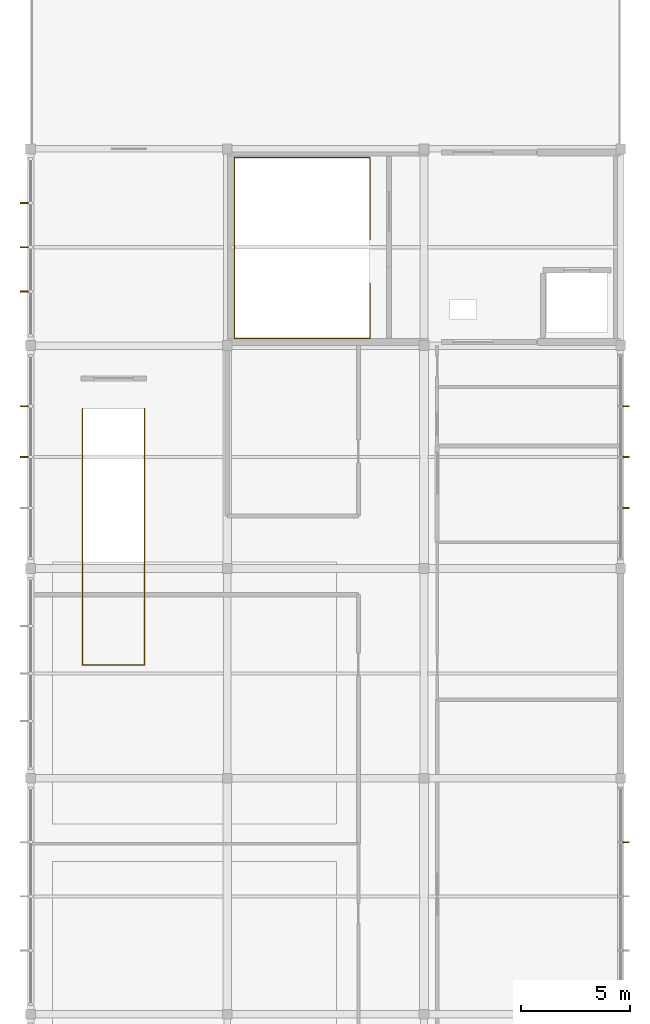
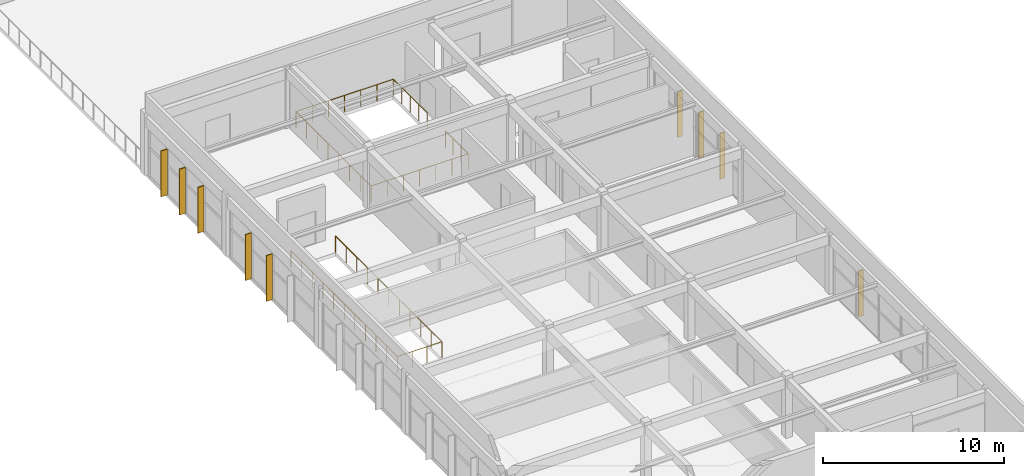
# One storey, part 10 of 10: 9 shading devices, 2 railings.
"""IFC4 building model written with IfcOpenShell, lengths in metres."""

from ifc_helpers import new_model, si_unit, direction, frame, origin, origin_2d, place, context, subcontext, project, spatial, rectangle, circle, extrude, material, type_object, element, save


model = new_model("IFC4")

# Units and contexts
model_context = context("Model", 3, precision=1e-05, world=origin(), true_north=direction((0.0, 1.0)))
body_context = subcontext(model_context, "Body", "Model", "MODEL_VIEW")
ifc_project = project(units=[si_unit("LENGTHUNIT", "METRE"), si_unit("AREAUNIT", "SQUARE_METRE"), si_unit("VOLUMEUNIT", "CUBIC_METRE"), si_unit("PLANEANGLEUNIT", "RADIAN"), si_unit("MASSUNIT", "GRAM", prefix="KILO")], contexts=[model_context])

# Site, building, storey
site_placement = place(None, origin())
site = spatial("IfcSite", under=ifc_project, at=site_placement, CompositionType="ELEMENT")
building_placement = place(site_placement, origin())
building = spatial("IfcBuilding", under=site, at=building_placement, Name="Suirenkawa Promenade Aquatics Centre", CompositionType="ELEMENT")
storey_placement = place(building_placement, frame((0.0, 0.0, 18.60009765625)))
storey = spatial("IfcBuildingStorey", under=building, at=storey_placement, Name="L04", CompositionType="ELEMENT", Elevation=18.60009765625)

# Railings
ifc_material_1 = material(Name="Marine-grade stainless steel Grade 316L", Category="steel")
railing_type = type_object("IfcRailingType", Name="RLT-GUARD-1120", PredefinedType="GUARDRAIL", material=ifc_material_1)
railing_1_placement = place(storey_placement, frame((15.530029296875, 64.260009765625, 0.0)))
element("IfcRailing", 1, at=railing_1_placement, inside=storey, type_object=railing_type, Name="Guardrail GRD-01 RL-0411", PredefinedType="GUARDRAIL", context=body_context, shape_type="SweptSolid", body=[
    extrude(circle(Radius=0.02392578125, at=origin_2d()), frame((0.0, 0.0, 1.09619140625), z_axis=(0.0, 1.0, 0.0), x_axis=(-1.0, 0.0, 0.0)), (0.0, 0.0, 1.0), 3.739990234375),
    extrude(circle(Radius=0.02392578125, at=origin_2d()), frame((0.0, 3.739990234375, 1.09619140625), z_axis=(-1.0, 0.0, 0.0), x_axis=(0.0, -1.0, 0.0)), (0.0, 0.0, 1.0), 6.2099609375),
    extrude(circle(Radius=0.02392578125, at=origin_2d()), frame((-6.2099609375, 3.739990234375, 1.09619140625), z_axis=(0.0, -1.0, 0.0), x_axis=(1.0, 0.0, 0.0)), (0.0, 0.0, 1.0), 8.280029296875),
    extrude(circle(Radius=0.02392578125, at=origin_2d()), frame((-6.2099609375, -4.5400390625, 1.09619140625), z_axis=(1.0, 0.0, 0.0), x_axis=(0.0, 1.0, 0.0)), (0.0, 0.0, 1.0), 6.2099609375),
    extrude(circle(Radius=0.02392578125, at=origin_2d()), frame((0.0, -4.5400390625, 1.09619140625), z_axis=(0.0, 1.0, 0.0), x_axis=(-1.0, 0.0, 0.0)), (0.0, 0.0, 1.0), 2.52001953125),
    extrude(circle(Radius=0.02099609375, at=origin_2d()), origin(), (0.0, 0.0, 1.0), 1.072021484375),
    extrude(circle(Radius=0.02099609375, at=origin_2d()), frame((0.0, 0.93505859375, 0.0)), (0.0, 0.0, 1.0), 1.072021484375),
    extrude(circle(Radius=0.02099609375, at=origin_2d()), frame((0.0, 1.8701171875, 0.0)), (0.0, 0.0, 1.0), 1.072021484375),
    extrude(circle(Radius=0.02099609375, at=origin_2d()), frame((0.0, 2.804931640625, 0.0)), (0.0, 0.0, 1.0), 1.072021484375),
    extrude(circle(Radius=0.02099609375, at=origin_2d()), frame((0.0, 3.739990234375, 0.0)), (0.0, 0.0, 1.0), 1.072021484375),
    extrude(circle(Radius=0.02099609375, at=origin_2d()), frame((-1.034912109375, 3.739990234375, 0.0)), (0.0, 0.0, 1.0), 1.072021484375),
    extrude(circle(Radius=0.02099609375, at=origin_2d()), frame((-2.070068359375, 3.739990234375, 0.0)), (0.0, 0.0, 1.0), 1.072021484375),
    extrude(circle(Radius=0.02099609375, at=origin_2d()), frame((-3.10498046875, 3.739990234375, 0.0)), (0.0, 0.0, 1.0), 1.072021484375),
    extrude(circle(Radius=0.02099609375, at=origin_2d()), frame((-4.139892578125, 3.739990234375, 0.0)), (0.0, 0.0, 1.0), 1.072021484375),
    extrude(circle(Radius=0.02099609375, at=origin_2d()), frame((-5.175048828125, 3.739990234375, 0.0)), (0.0, 0.0, 1.0), 1.072021484375),
    extrude(circle(Radius=0.02099609375, at=origin_2d()), frame((-6.2099609375, 3.739990234375, 0.0)), (0.0, 0.0, 1.0), 1.072021484375),
    extrude(circle(Radius=0.02099609375, at=origin_2d()), frame((-6.2099609375, 2.55712890625, 0.0)), (0.0, 0.0, 1.0), 1.072021484375),
    extrude(circle(Radius=0.02099609375, at=origin_2d()), frame((-6.2099609375, 1.374267578125, 0.0)), (0.0, 0.0, 1.0), 1.072021484375),
    extrude(circle(Radius=0.02099609375, at=origin_2d()), frame((-6.2099609375, 0.19140625, 0.0)), (0.0, 0.0, 1.0), 1.072021484375),
    extrude(circle(Radius=0.02099609375, at=origin_2d()), frame((-6.2099609375, -0.991455078125, 0.0)), (0.0, 0.0, 1.0), 1.072021484375),
    extrude(circle(Radius=0.02099609375, at=origin_2d()), frame((-6.2099609375, -2.17431640625, 0.0)), (0.0, 0.0, 1.0), 1.072021484375),
    extrude(circle(Radius=0.02099609375, at=origin_2d()), frame((-6.2099609375, -3.357177734375, 0.0)), (0.0, 0.0, 1.0), 1.072021484375),
    extrude(circle(Radius=0.02099609375, at=origin_2d()), frame((-6.2099609375, -4.5400390625, 0.0)), (0.0, 0.0, 1.0), 1.072021484375),
    extrude(circle(Radius=0.02099609375, at=origin_2d()), frame((-5.175048828125, -4.5400390625, 0.0)), (0.0, 0.0, 1.0), 1.072021484375),
    extrude(circle(Radius=0.02099609375, at=origin_2d()), frame((-4.139892578125, -4.5400390625, 0.0)), (0.0, 0.0, 1.0), 1.072021484375),
    extrude(circle(Radius=0.02099609375, at=origin_2d()), frame((-3.10498046875, -4.5400390625, 0.0)), (0.0, 0.0, 1.0), 1.072021484375),
    extrude(circle(Radius=0.02099609375, at=origin_2d()), frame((-2.070068359375, -4.5400390625, 0.0)), (0.0, 0.0, 1.0), 1.072021484375),
    extrude(circle(Radius=0.02099609375, at=origin_2d()), frame((-1.034912109375, -4.5400390625, 0.0)), (0.0, 0.0, 1.0), 1.072021484375),
    extrude(circle(Radius=0.02099609375, at=origin_2d()), frame((0.0, -4.5400390625, 0.0)), (0.0, 0.0, 1.0), 1.072021484375),
    extrude(circle(Radius=0.02099609375, at=origin_2d()), frame((0.0, -3.699951171875, 0.0)), (0.0, 0.0, 1.0), 1.072021484375),
    extrude(circle(Radius=0.02099609375, at=origin_2d()), frame((0.0, -2.860107421875, 0.0)), (0.0, 0.0, 1.0), 1.072021484375),
    extrude(circle(Radius=0.02099609375, at=origin_2d()), frame((0.0, -2.02001953125, 0.0)), (0.0, 0.0, 1.0), 1.072021484375),
])
railing_2_placement = place(storey_placement, frame((2.3798828125, 56.52001953125, 0.0)))
element("IfcRailing", 2, at=railing_2_placement, inside=storey, type_object=railing_type, Name="Guardrail GRD-01 RL-0423", PredefinedType="GUARDRAIL", context=body_context, shape_type="SweptSolid", body=[
    extrude(circle(Radius=0.02392578125, at=origin_2d()), frame((0.0, 0.0, 1.09619140625), z_axis=(0.0, -1.0, 0.0), x_axis=(1.0, 0.0, 0.0)), (0.0, 0.0, 1.0), 11.739990234375),
    extrude(circle(Radius=0.02392578125, at=origin_2d()), frame((0.0, -11.739990234375, 1.09619140625), z_axis=(1.0, 0.0, 0.0), x_axis=(0.0, 1.0, 0.0)), (0.0, 0.0, 1.0), 2.840087890625),
    extrude(circle(Radius=0.02392578125, at=origin_2d()), frame((2.840087890625, -11.739990234375, 1.09619140625), z_axis=(0.0, 1.0, 0.0), x_axis=(-1.0, 0.0, 0.0)), (0.0, 0.0, 1.0), 11.739990234375),
    extrude(circle(Radius=0.02099609375, at=origin_2d()), origin(), (0.0, 0.0, 1.0), 1.072021484375),
    extrude(circle(Radius=0.02099609375, at=origin_2d()), frame((0.0, -1.174072265625, 0.0)), (0.0, 0.0, 1.0), 1.072021484375),
    extrude(circle(Radius=0.02099609375, at=origin_2d()), frame((0.0, -2.347900390625, 0.0)), (0.0, 0.0, 1.0), 1.072021484375),
    extrude(circle(Radius=0.02099609375, at=origin_2d()), frame((0.0, -3.52197265625, 0.0)), (0.0, 0.0, 1.0), 1.072021484375),
    extrude(circle(Radius=0.02099609375, at=origin_2d()), frame((0.0, -4.696044921875, 0.0)), (0.0, 0.0, 1.0), 1.072021484375),
    extrude(circle(Radius=0.02099609375, at=origin_2d()), frame((0.0, -5.8701171875, 0.0)), (0.0, 0.0, 1.0), 1.072021484375),
    extrude(circle(Radius=0.02099609375, at=origin_2d()), frame((0.0, -7.0439453125, 0.0)), (0.0, 0.0, 1.0), 1.072021484375),
    extrude(circle(Radius=0.02099609375, at=origin_2d()), frame((0.0, -8.218017578125, 0.0)), (0.0, 0.0, 1.0), 1.072021484375),
    extrude(circle(Radius=0.02099609375, at=origin_2d()), frame((0.0, -9.39208984375, 0.0)), (0.0, 0.0, 1.0), 1.072021484375),
    extrude(circle(Radius=0.02099609375, at=origin_2d()), frame((0.0, -10.56591796875, 0.0)), (0.0, 0.0, 1.0), 1.072021484375),
    extrude(circle(Radius=0.02099609375, at=origin_2d()), frame((0.0, -11.739990234375, 0.0)), (0.0, 0.0, 1.0), 1.072021484375),
    extrude(circle(Radius=0.02099609375, at=origin_2d()), frame((0.94677734375, -11.739990234375, 0.0)), (0.0, 0.0, 1.0), 1.072021484375),
    extrude(circle(Radius=0.02099609375, at=origin_2d()), frame((1.893310546875, -11.739990234375, 0.0)), (0.0, 0.0, 1.0), 1.072021484375),
    extrude(circle(Radius=0.02099609375, at=origin_2d()), frame((2.840087890625, -11.739990234375, 0.0)), (0.0, 0.0, 1.0), 1.072021484375),
    extrude(circle(Radius=0.02099609375, at=origin_2d()), frame((2.840087890625, -10.56591796875, 0.0)), (0.0, 0.0, 1.0), 1.072021484375),
    extrude(circle(Radius=0.02099609375, at=origin_2d()), frame((2.840087890625, -9.39208984375, 0.0)), (0.0, 0.0, 1.0), 1.072021484375),
    extrude(circle(Radius=0.02099609375, at=origin_2d()), frame((2.840087890625, -8.218017578125, 0.0)), (0.0, 0.0, 1.0), 1.072021484375),
    extrude(circle(Radius=0.02099609375, at=origin_2d()), frame((2.840087890625, -7.0439453125, 0.0)), (0.0, 0.0, 1.0), 1.072021484375),
    extrude(circle(Radius=0.02099609375, at=origin_2d()), frame((2.840087890625, -5.8701171875, 0.0)), (0.0, 0.0, 1.0), 1.072021484375),
    extrude(circle(Radius=0.02099609375, at=origin_2d()), frame((2.840087890625, -4.696044921875, 0.0)), (0.0, 0.0, 1.0), 1.072021484375),
    extrude(circle(Radius=0.02099609375, at=origin_2d()), frame((2.840087890625, -3.52197265625, 0.0)), (0.0, 0.0, 1.0), 1.072021484375),
    extrude(circle(Radius=0.02099609375, at=origin_2d()), frame((2.840087890625, -2.347900390625, 0.0)), (0.0, 0.0, 1.0), 1.072021484375),
    extrude(circle(Radius=0.02099609375, at=origin_2d()), frame((2.840087890625, -1.174072265625, 0.0)), (0.0, 0.0, 1.0), 1.072021484375),
    extrude(circle(Radius=0.02099609375, at=origin_2d()), frame((2.840087890625, 0.0, 0.0)), (0.0, 0.0, 1.0), 1.072021484375),
])

# Shading devices
ifc_material_2 = material(Name="Anodised aluminium 6063-T6", Category="aluminium")
shading_device_type_1 = type_object("IfcShadingDeviceType", Name="SDT-KOUSHI-320", PredefinedType="USERDEFINED", material=ifc_material_2)
for number, where, z_axis, x_axis, name in (
    (3, (27.23193359375, 36.675537109375, 0.0400390625), (0.0, 0.0, 1.0), (1.0, 0.0, 0.0), "Vertical solar shading fin FN-02 FIN-0246"),
    (4, (27.23193359375, 56.62548828125, 0.0400390625), (0.0, 0.0, 1.0), (1.0, 0.0, 0.0), "Vertical solar shading fin FN-02 FIN-0255"),
    (5, (27.23193359375, 54.300048828125, 0.0400390625), (0.0, 0.0, 1.0), (1.0, 0.0, 0.0), "Vertical solar shading fin FN-02 FIN-0256"),
    (6, (27.23193359375, 51.974609375, 0.0400390625), (0.0, 0.0, 1.0), (1.0, 0.0, 0.0), "Vertical solar shading fin FN-02 FIN-0257"),
):
    element("IfcShadingDevice", number, at=place(storey_placement, frame(where, z_axis=z_axis, x_axis=x_axis)), inside=storey, type_object=shading_device_type_1, Name=name, ObjectType="FIN", PredefinedType="USERDEFINED", context=body_context, shape_type="SweptSolid", body=[
        extrude(rectangle(XDim=0.320068359375, YDim=0.06005859375, at=origin_2d()), origin(), (0.0, 0.0, 1.0), 3.094970703125),
    ])
shading_device_type_2 = type_object("IfcShadingDeviceType", Name="SDT-KOUSHI-400", PredefinedType="USERDEFINED", material=ifc_material_2)
for number, where, z_axis, x_axis, name in (
    (7, (-0.287109375, 54.300048828125, 0.0400390625), (0.0, 0.0, 1.0), (-1.0, 0.0, 0.0), "Vertical solar shading fin FN-01 FIN-0253"),
    (8, (-0.287109375, 56.62548828125, 0.0400390625), (0.0, 0.0, 1.0), (-1.0, 0.0, 0.0), "Vertical solar shading fin FN-01 FIN-0254"),
    (9, (-0.287109375, 61.87451171875, 0.0400390625), (0.0, 0.0, 1.0), (-1.0, 0.0, 0.0), "Vertical solar shading fin FN-01 FIN-0258"),
    (10, (-0.287109375, 63.89990234375, 0.0400390625), (0.0, 0.0, 1.0), (-1.0, 0.0, 0.0), "Vertical solar shading fin FN-01 FIN-0259"),
    (11, (-0.287109375, 65.925537109375, 0.0400390625), (0.0, 0.0, 1.0), (-1.0, 0.0, 0.0), "Vertical solar shading fin FN-01 FIN-0260"),
):
    element("IfcShadingDevice", number, at=place(storey_placement, frame(where, z_axis=z_axis, x_axis=x_axis)), inside=storey, type_object=shading_device_type_2, Name=name, ObjectType="FIN", PredefinedType="USERDEFINED", context=body_context, shape_type="SweptSolid", body=[
        extrude(rectangle(XDim=0.39990234375, YDim=0.06005859375, at=origin_2d()), origin(), (0.0, 0.0, 1.0), 3.094970703125),
    ])

save(model, "model.ifc")
